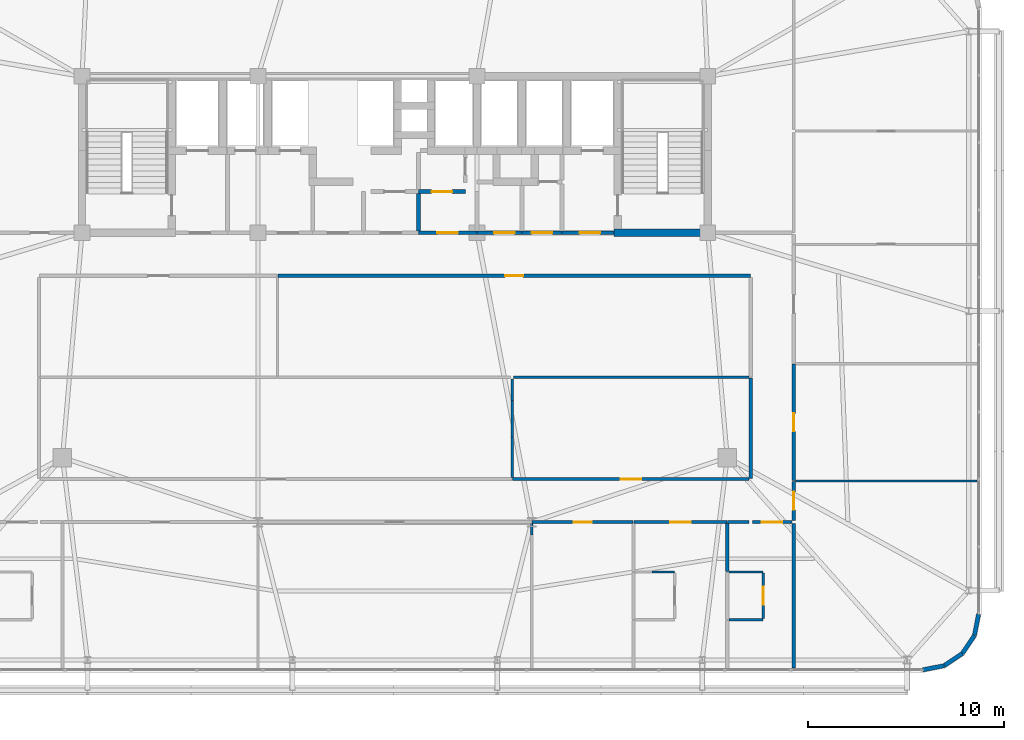
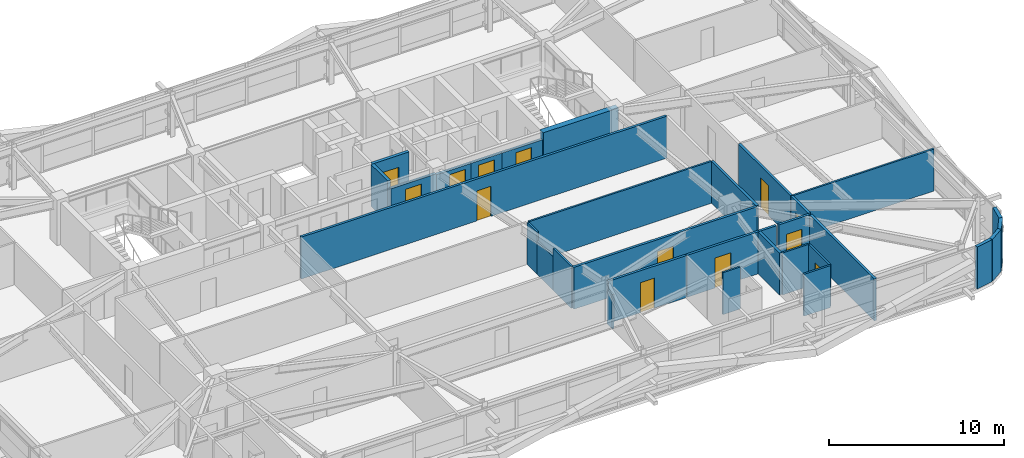
# One storey, part 54 of 59: 32 walls, 13 doors, 13 openings.
"""IFC4 building model written with IfcOpenShell, lengths in metres."""

from ifc_helpers import new_model, si_unit, direction, frame, frame_2d, origin, place, context, subcontext, project, spatial, rectangle, extrude, source, transform, mapped, material, layer, layer_set, type_object, element, fill, save


model = new_model("IFC4")

# Units and contexts
model_context = context("Model", 3, precision=1e-05, world=origin(), true_north=direction((0.0, 1.0)))
body_context = subcontext(model_context, "Body", "Model", "MODEL_VIEW")
ifc_project = project(units=[si_unit("LENGTHUNIT", "METRE"), si_unit("AREAUNIT", "SQUARE_METRE"), si_unit("VOLUMEUNIT", "CUBIC_METRE"), si_unit("PLANEANGLEUNIT", "RADIAN"), si_unit("MASSUNIT", "GRAM", prefix="KILO")], contexts=[model_context])

# Site, building, storey
site_placement = place(None, origin())
site = spatial("IfcSite", under=ifc_project, at=site_placement, CompositionType="ELEMENT")
building_placement = place(site_placement, origin())
building = spatial("IfcBuilding", under=site, at=building_placement, Name="Taldren Reach Tower", CompositionType="ELEMENT")
storey_placement = place(building_placement, frame((0.0, 0.0, 29.39990234375)))
storey = spatial("IfcBuildingStorey", under=building, at=storey_placement, Name="L08", CompositionType="ELEMENT", Elevation=29.39990234375)

# Walls
ifc_material_1 = material(Name="Pale Champagne Anodised Aluminium Cladding", Category="aluminium")
ifc_layer_1 = layer(ifc_material_1, 0.04, Name="Pale Champagne Anodised Aluminium Cladding", Category="aluminium")
ifc_material_2 = material(Name="Mineral Wool Acoustic Insulation", Category="insulation")
ifc_layer_2 = layer(ifc_material_2, 0.06, Name="Mineral Wool Acoustic Insulation", Category="insulation")
ifc_material_3 = material(Name="Steel Gr 350 (C350L0)", Category="steel")
ifc_layer_3 = layer(ifc_material_3, 0.12, Name="Steel Gr 350 (C350L0)", Category="steel")
ifc_layer_set_1 = layer_set([ifc_layer_1, ifc_layer_2, ifc_layer_3], Name="Pale Champagne Aluminium Cladding and Steel Gr 350 Stud Framing")
wall_type_1 = type_object("IfcWallType", Name="EW-CRN-220", PredefinedType="SOLIDWALL", material=ifc_layer_set_1)
shared_shape_1 = source(origin(), body_context, "Body", "SweptSolid", [
    extrude(rectangle(XDim=1.115966796875, YDim=0.219970703125, at=frame_2d((0.55810546875, 0.0))), origin(), (0.0, 0.0, 1.0), 2.93017578125),
])
for number, where, z_axis, x_axis, name in (
    (1, (62.0, 1.639892578125, 0.0), (0.0, 0.0, 1.0), (0.98077373103, 0.195148375659, 0.0), "Rounded-corner pale-metal facade wall L08-SE1"),
    (2, (63.094482421875, 1.857666015625, 0.0), (0.0, 0.0, 1.0), (0.83137650226, 0.555709556774, 0.0), "Rounded-corner pale-metal facade wall L08-SE2"),
    (3, (64.022216796875, 2.477783203125, 0.0), (0.0, 0.0, 1.0), (0.555709556774, 0.83137650226, 0.0), "Rounded-corner pale-metal facade wall L08-SE3"),
    (4, (64.642333984375, 3.405517578125, 0.0), (0.0, 0.0, 1.0), (0.195148375659, 0.98077373103, 0.0), "Rounded-corner pale-metal facade wall L08-SE4"),
):
    element("IfcWall", number, at=place(storey_placement, frame(where, z_axis=z_axis, x_axis=x_axis)), inside=storey, type_object=wall_type_1, Name=name, PredefinedType="SOLIDWALL", context=body_context, shape_type="MappedRepresentation", body=[
        mapped(shared_shape_1, transform((0.0, 0.0, 0.0), scale=1.0)),
    ])
ifc_material_4 = material(Name="Concrete S80 (80 MPa)", Category="concrete")
ifc_layer_4 = layer(ifc_material_4, 0.3798828125)
ifc_layer_set_2 = layer_set([ifc_layer_4], Name="Concrete S80 (80 MPa)")
wall_type_2 = type_object("IfcWallType", Name="IW-CORE-380", PredefinedType="SHEAR", material=ifc_layer_set_2)
shared_shape_2 = source(origin(), body_context, "Body", "SweptSolid", [
    extrude(rectangle(XDim=4.97998046875, YDim=0.3798828125, at=frame_2d((2.489990234375, 0.0))), origin(), (0.0, 0.0, 1.0), 2.93017578125),
])
wall_1_placement = place(storey_placement, frame((46.2099609375, 24.0, 0.0), z_axis=(0.0, 0.0, 1.0), x_axis=(1.0, 0.0, 0.0)))
element("IfcWall", 5, at=wall_1_placement, inside=storey, type_object=wall_type_2, Name="Rear Core Shear Wall W-INT-L08-010", PredefinedType="SHEAR", context=body_context, shape_type="MappedRepresentation", body=[
    mapped(shared_shape_2, transform((0.0, 0.0, 0.0), scale=1.0)),
])

# Wall, opening, door
ifc_material_5 = material(Name="Concrete S50 (50 MPa)", Category="concrete")
ifc_layer_5 = layer(ifc_material_5, 0.199951171875)
ifc_layer_set_3 = layer_set([ifc_layer_5], Name="Concrete S50 (50 MPa)")
wall_type_3 = type_object("IfcWallType", Name="IW-CORE-200", PredefinedType="SOLIDWALL", material=ifc_layer_set_3)
shared_shape_3 = source(origin(), body_context, "Body", "SweptSolid", [
    extrude(rectangle(XDim=2.659912109375, YDim=0.199951171875, at=frame_2d((1.330078125, 0.0))), origin(), (0.0, 0.0, 1.0), 2.397216796875),
])
wall_2_placement = place(storey_placement, frame((43.550048828125, 24.0, 0.0), z_axis=(0.0, 0.0, 1.0), x_axis=(1.0, 0.0, 0.0)))
wall_2 = element("IfcWall", 6, at=wall_2_placement, inside=storey, type_object=wall_type_3, Name="Rear Core Shear Wall W-INT-L08-015", PredefinedType="SOLIDWALL", context=body_context, shape_type="MappedRepresentation", body=[
    mapped(shared_shape_3, transform((0.0, 0.0, 0.0), scale=1.0)),
])
shared_shape_4 = source(origin(), body_context, "Body", "SweptSolid", [
    extrude(rectangle(XDim=1.050048828125, YDim=2.10009765625, at=frame_2d((0.52490234375, 1.050048828125))), frame((0.0, 0.10986328125, 0.0), z_axis=(0.0, -1.0, 0.0), x_axis=(1.0, 0.0, 0.0)), (0.0, 0.0, 1.0), 0.219970703125),
])
opening_1_placement = place(wall_2_placement, frame((0.89990234375, 0.0, 0.0)))
opening_1 = element("IfcOpeningElement", 7, at=opening_1_placement, cuts=wall_2, Name="Opening DF-105", PredefinedType="OPENING", context=body_context, shape_type="MappedRepresentation", body=[
    mapped(shared_shape_4, transform((0.0, 0.0, 0.0), scale=1.0)),
])
ifc_material_6 = material(Name="Fire-Rated Care and Stair Exit Door")
door_type_1 = type_object("IfcDoorType", Name="ID-FIRE-105", OperationType="NOTDEFINED", PredefinedType="DOOR", material=ifc_material_6)
shared_shape_5 = source(origin(), body_context, "Body", "SweptSolid", [
    extrude(rectangle(XDim=1.050048828125, YDim=2.10009765625, at=frame_2d((0.52490234375, 1.050048828125))), frame((0.0, 0.02490234375, 0.0), z_axis=(0.0, -1.0, 0.0), x_axis=(1.0, 0.0, 0.0)), (0.0, 0.0, 1.0), 0.050048828125),
])
door_1_placement = place(opening_1_placement, origin())
door_1 = element("IfcDoor", 8, at=door_1_placement, inside=storey, type_object=door_type_1, Name="Interior Door DR-L08-004", OperationType="SINGLE_SWING_LEFT", OverallHeight=2.10009765625, OverallWidth=1.050048828125, PredefinedType="DOOR", context=body_context, shape_type="MappedRepresentation", body=[
    mapped(shared_shape_5, transform((0.0, 0.0, 0.0), scale=1.0)),
])
fill(opening_1, door_1)

# Wall
shared_shape_6 = source(origin(), body_context, "Body", "SweptSolid", [
    extrude(rectangle(XDim=1.89990234375, YDim=0.199951171875, at=frame_2d((0.949951171875, 0.0))), origin(), (0.0, 0.0, 1.0), 2.93017578125),
])
wall_3_placement = place(storey_placement, frame((36.199951171875, 26.0, 0.0), z_axis=(0.0, 0.0, 1.0), x_axis=(0.0, -1.0, 0.0)))
element("IfcWall", 9, at=wall_3_placement, inside=storey, type_object=wall_type_3, Name="Rear Core Shear Wall W-INT-L08-047", PredefinedType="SOLIDWALL", context=body_context, shape_type="MappedRepresentation", body=[
    mapped(shared_shape_6, transform((0.0, 0.0, 0.0), scale=1.0)),
])

# Wall, opening, door
shared_shape_7 = source(origin(), body_context, "Body", "SweptSolid", [
    extrude(rectangle(XDim=2.420166015625, YDim=0.199951171875, at=frame_2d((1.2099609375, 0.0))), origin(), (0.0, 0.0, 1.0), 2.93017578125),
])
wall_4_placement = place(storey_placement, frame((36.199951171875, 26.10009765625, 0.0), z_axis=(0.0, 0.0, 1.0), x_axis=(1.0, 0.0, 0.0)))
wall_4 = element("IfcWall", 10, at=wall_4_placement, inside=storey, type_object=wall_type_3, Name="Rear Core Shear Wall W-INT-L08-051", PredefinedType="SOLIDWALL", context=body_context, shape_type="MappedRepresentation", body=[
    mapped(shared_shape_7, transform((0.0, 0.0, 0.0), scale=1.0)),
])
opening_2_placement = place(wall_4_placement, frame((0.68505859375, 0.0, 0.0)))
opening_2 = element("IfcOpeningElement", 11, at=opening_2_placement, cuts=wall_4, Name="Opening DF-105", PredefinedType="OPENING", context=body_context, shape_type="MappedRepresentation", body=[
    mapped(shared_shape_4, transform((0.0, 0.0, 0.0), scale=1.0)),
])
door_2_placement = place(opening_2_placement, origin())
door_2 = element("IfcDoor", 12, at=door_2_placement, inside=storey, type_object=door_type_1, Name="Interior Door DR-L08-009", OperationType="SINGLE_SWING_RIGHT", OverallHeight=2.10009765625, OverallWidth=1.050048828125, PredefinedType="DOOR", context=body_context, shape_type="MappedRepresentation", body=[
    mapped(shared_shape_5, transform((0.0, 0.0, 0.0), scale=1.0)),
])
fill(opening_2, door_2)

shared_shape_8 = source(origin(), body_context, "Body", "SweptSolid", [
    extrude(rectangle(XDim=3.0, YDim=0.199951171875, at=frame_2d((1.5, 0.0))), origin(), (0.0, 0.0, 1.0), 2.47021484375),
])
wall_5_placement = place(storey_placement, frame((39.199951171875, 24.0, 0.0), z_axis=(0.0, 0.0, 1.0), x_axis=(-1.0, 0.0, 0.0)))
wall_5 = element("IfcWall", 13, at=wall_5_placement, inside=storey, type_object=wall_type_3, Name="Rear Core Shear Wall W-INT-L08-053", PredefinedType="SOLIDWALL", context=body_context, shape_type="MappedRepresentation", body=[
    mapped(shared_shape_8, transform((0.0, 0.0, 0.0), scale=1.0)),
])
opening_3_placement = place(wall_5_placement, frame((0.97509765625, 0.0, 0.0)))
opening_3 = element("IfcOpeningElement", 14, at=opening_3_placement, cuts=wall_5, Name="Opening DF-105", PredefinedType="OPENING", context=body_context, shape_type="MappedRepresentation", body=[
    mapped(shared_shape_4, transform((0.0, 0.0, 0.0), scale=1.0)),
])
door_3_placement = place(opening_3_placement, frame((1.050048828125, 0.0, 0.0), z_axis=(0.0, 0.0, 1.0), x_axis=(-1.0, 0.0, 0.0)))
door_3 = element("IfcDoor", 15, at=door_3_placement, inside=storey, type_object=door_type_1, Name="Interior Door DR-L08-010", OperationType="SINGLE_SWING_RIGHT", OverallHeight=2.10009765625, OverallWidth=1.050048828125, PredefinedType="DOOR", context=body_context, shape_type="MappedRepresentation", body=[
    mapped(shared_shape_5, transform((0.0, 0.0, 0.0), scale=1.0)),
])
fill(opening_3, door_3)

shared_shape_9 = source(origin(), body_context, "Body", "SweptSolid", [
    extrude(rectangle(XDim=2.300048828125, YDim=0.199951171875, at=frame_2d((1.14990234375, 0.0))), origin(), (0.0, 0.0, 1.0), 2.397216796875),
])
wall_6_placement = place(storey_placement, frame((41.5, 24.0, 0.0), z_axis=(0.0, 0.0, 1.0), x_axis=(-1.0, 0.0, 0.0)))
wall_6 = element("IfcWall", 16, at=wall_6_placement, inside=storey, type_object=wall_type_3, Name="Rear Core Shear Wall W-INT-L08-057", PredefinedType="SOLIDWALL", context=body_context, shape_type="MappedRepresentation", body=[
    mapped(shared_shape_9, transform((0.0, 0.0, 0.0), scale=1.0)),
])
opening_4_placement = place(wall_6_placement, frame((0.375, 0.0, 0.0)))
opening_4 = element("IfcOpeningElement", 17, at=opening_4_placement, cuts=wall_6, Name="Opening DF-105", PredefinedType="OPENING", context=body_context, shape_type="MappedRepresentation", body=[
    mapped(shared_shape_4, transform((0.0, 0.0, 0.0), scale=1.0)),
])
door_4_placement = place(opening_4_placement, frame((1.050048828125, 0.0, 0.0), z_axis=(0.0, 0.0, 1.0), x_axis=(-1.0, 0.0, 0.0)))
door_4 = element("IfcDoor", 18, at=door_4_placement, inside=storey, type_object=door_type_1, Name="Interior Door DR-L08-011", OperationType="SINGLE_SWING_RIGHT", OverallHeight=2.10009765625, OverallWidth=1.050048828125, PredefinedType="DOOR", context=body_context, shape_type="MappedRepresentation", body=[
    mapped(shared_shape_5, transform((0.0, 0.0, 0.0), scale=1.0)),
])
fill(opening_4, door_4)

shared_shape_10 = source(origin(), body_context, "Body", "SweptSolid", [
    extrude(rectangle(XDim=2.050048828125, YDim=0.199951171875, at=frame_2d((1.02490234375, 0.0))), origin(), (0.0, 0.0, 1.0), 2.397216796875),
])
wall_7_placement = place(storey_placement, frame((43.550048828125, 24.0, 0.0), z_axis=(0.0, 0.0, 1.0), x_axis=(-1.0, 0.0, 0.0)))
wall_7 = element("IfcWall", 19, at=wall_7_placement, inside=storey, type_object=wall_type_3, Name="Rear Core Shear Wall W-INT-L08-059", PredefinedType="SOLIDWALL", context=body_context, shape_type="MappedRepresentation", body=[
    mapped(shared_shape_10, transform((0.0, 0.0, 0.0), scale=1.0)),
])
opening_5_placement = place(wall_7_placement, frame((0.5, 0.0, 0.0)))
opening_5 = element("IfcOpeningElement", 20, at=opening_5_placement, cuts=wall_7, Name="Opening DF-105", PredefinedType="OPENING", context=body_context, shape_type="MappedRepresentation", body=[
    mapped(shared_shape_4, transform((0.0, 0.0, 0.0), scale=1.0)),
])
door_5_placement = place(opening_5_placement, frame((1.050048828125, 0.0, 0.0), z_axis=(0.0, 0.0, 1.0), x_axis=(-1.0, 0.0, 0.0)))
door_5 = element("IfcDoor", 21, at=door_5_placement, inside=storey, type_object=door_type_1, Name="Interior Door DR-L08-013", OperationType="SINGLE_SWING_LEFT", OverallHeight=2.10009765625, OverallWidth=1.050048828125, PredefinedType="DOOR", context=body_context, shape_type="MappedRepresentation", body=[
    mapped(shared_shape_5, transform((0.0, 0.0, 0.0), scale=1.0)),
])
fill(opening_5, door_5)

# Wall
ifc_material_7 = material(Name="Fire-Rated Acoustic Plasterboard Stud Wall", Category="gypsum")
ifc_layer_6 = layer(ifc_material_7, 0.159912109375)
ifc_layer_set_4 = layer_set([ifc_layer_6], Name="Fire-Rated Acoustic Plasterboard Stud Wall")
wall_type_4 = type_object("IfcWallType", Name="IW-FIRE-160", PredefinedType="PARTITIONING", material=ifc_layer_set_4)
shared_shape_11 = source(origin(), body_context, "Body", "SweptSolid", [
    extrude(rectangle(XDim=5.15966796875, YDim=0.159912109375, at=frame_2d((2.579833984375, 0.0))), origin(), (0.0, 0.0, 1.0), 2.93017578125),
])
wall_8_placement = place(storey_placement, frame((53.199951171875, 11.420166015625, 0.0), z_axis=(0.0, 0.0, 1.0), x_axis=(0.0, 1.0, 0.0)))
element("IfcWall", 22, at=wall_8_placement, inside=storey, type_object=wall_type_4, Name="Interior Partition Wall W-INT-L08-061", PredefinedType="PARTITIONING", context=body_context, shape_type="MappedRepresentation", body=[
    mapped(shared_shape_11, transform((0.0, 0.0, 0.0), scale=1.0)),
])

# Wall, opening, door
shared_shape_12 = source(origin(), body_context, "Body", "SweptSolid", [
    extrude(rectangle(XDim=24.159423828125, YDim=0.159912109375, at=frame_2d((12.07958984375, 0.0))), origin(), (0.0, 0.0, 1.0), 2.93017578125),
])
wall_9_placement = place(storey_placement, frame((53.1796875, 21.800048828125, 0.0), z_axis=(0.0, 0.0, 1.0), x_axis=(-1.0, 0.0, 0.0)))
wall_9 = element("IfcWall", 23, at=wall_9_placement, inside=storey, type_object=wall_type_4, Name="Interior Partition Wall W-INT-L08-064", PredefinedType="PARTITIONING", context=body_context, shape_type="MappedRepresentation", body=[
    mapped(shared_shape_12, transform((0.0, 0.0, 0.0), scale=1.0)),
])
shared_shape_13 = source(origin(), body_context, "Body", "SweptSolid", [
    extrude(rectangle(XDim=0.919921875, YDim=2.10009765625, at=frame_2d((0.4599609375, 1.050048828125))), frame((0.0, 0.08984375, 0.0), z_axis=(0.0, -1.0, 0.0), x_axis=(1.0, 0.0, 0.0)), (0.0, 0.0, 1.0), 0.179931640625),
])
opening_6_placement = place(wall_9_placement, frame((11.619873046875, 0.0, 0.0)))
opening_6 = element("IfcOpeningElement", 24, at=opening_6_placement, cuts=wall_9, Name="Opening DI-092", PredefinedType="OPENING", context=body_context, shape_type="MappedRepresentation", body=[
    mapped(shared_shape_13, transform((0.0, 0.0, 0.0), scale=1.0)),
])
ifc_material_8 = material(Name="Solid-Core Timber Suite Door", Category="wood")
door_type_2 = type_object("IfcDoorType", Name="ID-INT-092", OperationType="NOTDEFINED", PredefinedType="DOOR", material=ifc_material_8)
shared_shape_14 = source(origin(), body_context, "Body", "SweptSolid", [
    extrude(rectangle(XDim=0.919921875, YDim=2.10009765625, at=frame_2d((0.4599609375, 1.050048828125))), frame((0.0, 0.02490234375, 0.0), z_axis=(0.0, -1.0, 0.0), x_axis=(1.0, 0.0, 0.0)), (0.0, 0.0, 1.0), 0.050048828125),
])
door_6_placement = place(opening_6_placement, origin())
door_6 = element("IfcDoor", 25, at=door_6_placement, inside=storey, type_object=door_type_2, Name="Interior Door DR-L08-015", OperationType="SINGLE_SWING_RIGHT", OverallHeight=2.10009765625, OverallWidth=0.919921875, PredefinedType="DOOR", context=body_context, shape_type="MappedRepresentation", body=[
    mapped(shared_shape_14, transform((0.0, 0.0, 0.0), scale=1.0)),
])
fill(opening_6, door_6)

shared_shape_15 = source(origin(), body_context, "Body", "SweptSolid", [
    extrude(rectangle(XDim=2.0400390625, YDim=0.159912109375, at=frame_2d((1.02001953125, 0.0))), origin(), (0.0, 0.0, 1.0), 2.93017578125),
])
wall_10_placement = place(storey_placement, frame((55.320068359375, 9.199951171875, 0.0), z_axis=(0.0, 0.0, 1.0), x_axis=(-1.0, 0.0, 0.0)))
wall_10 = element("IfcWall", 26, at=wall_10_placement, inside=storey, type_object=wall_type_4, Name="Interior Partition Wall W-INT-L08-067", PredefinedType="PARTITIONING", context=body_context, shape_type="MappedRepresentation", body=[
    mapped(shared_shape_15, transform((0.0, 0.0, 0.0), scale=1.0)),
])
shared_shape_16 = source(origin(), body_context, "Body", "SweptSolid", [
    extrude(rectangle(XDim=1.050048828125, YDim=2.10009765625, at=frame_2d((0.52490234375, 1.050048828125))), frame((0.0, 0.08984375, 0.0), z_axis=(0.0, -1.0, 0.0), x_axis=(1.0, 0.0, 0.0)), (0.0, 0.0, 1.0), 0.179931640625),
])
opening_7_placement = place(wall_10_placement, frame((0.4951171875, 0.0, 0.0)))
opening_7 = element("IfcOpeningElement", 27, at=opening_7_placement, cuts=wall_10, Name="Opening DF-105", PredefinedType="OPENING", context=body_context, shape_type="MappedRepresentation", body=[
    mapped(shared_shape_16, transform((0.0, 0.0, 0.0), scale=1.0)),
])
door_7_placement = place(opening_7_placement, origin())
door_7 = element("IfcDoor", 28, at=door_7_placement, inside=storey, type_object=door_type_1, Name="Interior Door DR-L08-017", OperationType="SINGLE_SWING_RIGHT", OverallHeight=2.10009765625, OverallWidth=1.050048828125, PredefinedType="DOOR", context=body_context, shape_type="MappedRepresentation", body=[
    mapped(shared_shape_5, transform((0.0, 0.0, 0.0), scale=1.0)),
])
fill(opening_7, door_7)

shared_shape_17 = source(origin(), body_context, "Body", "SweptSolid", [
    extrude(rectangle(XDim=1.999755859375, YDim=0.159912109375, at=frame_2d((1.0, 0.0))), origin(), (0.0, 0.0, 1.0), 2.93017578125),
])
wall_11_placement = place(storey_placement, frame((55.39990234375, 11.27978515625, 0.0), z_axis=(0.0, 0.0, 1.0), x_axis=(0.0, -1.0, 0.0)))
wall_11 = element("IfcWall", 29, at=wall_11_placement, inside=storey, type_object=wall_type_4, Name="Interior Partition Wall W-INT-L08-071", PredefinedType="PARTITIONING", context=body_context, shape_type="MappedRepresentation", body=[
    mapped(shared_shape_17, transform((0.0, 0.0, 0.0), scale=1.0)),
])
opening_8_placement = place(wall_11_placement, frame((0.539794921875, 0.0, 0.0)))
opening_8 = element("IfcOpeningElement", 30, at=opening_8_placement, cuts=wall_11, Name="Opening DI-092", PredefinedType="OPENING", context=body_context, shape_type="MappedRepresentation", body=[
    mapped(shared_shape_13, transform((0.0, 0.0, 0.0), scale=1.0)),
])
door_8_placement = place(opening_8_placement, origin())
door_8 = element("IfcDoor", 31, at=door_8_placement, inside=storey, type_object=door_type_2, Name="Interior Door DR-L08-021", OperationType="SINGLE_SWING_RIGHT", OverallHeight=2.10009765625, OverallWidth=0.919921875, PredefinedType="DOOR", context=body_context, shape_type="MappedRepresentation", body=[
    mapped(shared_shape_14, transform((0.0, 0.0, 0.0), scale=1.0)),
])
fill(opening_8, door_8)

shared_shape_18 = source(origin(), body_context, "Body", "SweptSolid", [
    extrude(rectangle(XDim=5.95947265625, YDim=0.159912109375, at=frame_2d((2.979736328125, 0.0))), origin(), (0.0, 0.0, 1.0), 2.93017578125),
])
wall_12_placement = place(storey_placement, frame((55.39990234375, 17.27978515625, 0.0), z_axis=(0.0, 0.0, 1.0), x_axis=(0.0, -1.0, 0.0)))
wall_12 = element("IfcWall", 32, at=wall_12_placement, inside=storey, type_object=wall_type_4, Name="Interior Partition Wall W-INT-L08-072", PredefinedType="PARTITIONING", context=body_context, shape_type="MappedRepresentation", body=[
    mapped(shared_shape_18, transform((0.0, 0.0, 0.0), scale=1.0)),
])
opening_9_placement = place(wall_12_placement, frame((2.519775390625, 0.0, 0.0)))
opening_9 = element("IfcOpeningElement", 33, at=opening_9_placement, cuts=wall_12, Name="Opening DI-092", PredefinedType="OPENING", context=body_context, shape_type="MappedRepresentation", body=[
    mapped(shared_shape_13, transform((0.0, 0.0, 0.0), scale=1.0)),
])
door_9_placement = place(opening_9_placement, origin())
door_9 = element("IfcDoor", 34, at=door_9_placement, inside=storey, type_object=door_type_2, Name="Interior Door DR-L08-022", OperationType="SINGLE_SWING_LEFT", OverallHeight=2.10009765625, OverallWidth=0.919921875, PredefinedType="DOOR", context=body_context, shape_type="MappedRepresentation", body=[
    mapped(shared_shape_14, transform((0.0, 0.0, 0.0), scale=1.0)),
])
fill(opening_9, door_9)

shared_shape_19 = source(origin(), body_context, "Body", "SweptSolid", [
    extrude(rectangle(XDim=12.099853515625, YDim=0.159912109375, at=frame_2d((6.0498046875, 0.0))), origin(), (0.0, 0.0, 1.0), 2.93017578125),
])
wall_13_placement = place(storey_placement, frame((41.020263671875, 11.39990234375, 0.0), z_axis=(0.0, 0.0, 1.0), x_axis=(1.0, 0.0, 0.0)))
wall_13 = element("IfcWall", 35, at=wall_13_placement, inside=storey, type_object=wall_type_4, Name="Interior Partition Wall W-INT-L08-078", PredefinedType="PARTITIONING", context=body_context, shape_type="MappedRepresentation", body=[
    mapped(shared_shape_19, transform((0.0, 0.0, 0.0), scale=1.0)),
])
opening_10_placement = place(wall_13_placement, frame((5.52490234375, 0.0, 0.0)))
opening_10 = element("IfcOpeningElement", 36, at=opening_10_placement, cuts=wall_13, Name="Opening DF-105", PredefinedType="OPENING", context=body_context, shape_type="MappedRepresentation", body=[
    mapped(shared_shape_16, transform((0.0, 0.0, 0.0), scale=1.0)),
])
door_10_placement = place(opening_10_placement, origin())
door_10 = element("IfcDoor", 37, at=door_10_placement, inside=storey, type_object=door_type_1, Name="Interior Door DR-L08-026", OperationType="SINGLE_SWING_LEFT", OverallHeight=2.10009765625, OverallWidth=1.050048828125, PredefinedType="DOOR", context=body_context, shape_type="MappedRepresentation", body=[
    mapped(shared_shape_5, transform((0.0, 0.0, 0.0), scale=1.0)),
])
fill(opening_10, door_10)

# Wall
shared_shape_20 = source(origin(), body_context, "Body", "SweptSolid", [
    extrude(rectangle(XDim=1.099853515625, YDim=0.159912109375, at=frame_2d((0.5498046875, 0.0))), origin(), (0.0, 0.0, 1.0), 2.93017578125),
])
wall_14_placement = place(storey_placement, frame((53.1201171875, 9.199951171875, 0.0), z_axis=(0.0, 0.0, 1.0), x_axis=(-1.0, 0.0, 0.0)))
element("IfcWall", 38, at=wall_14_placement, inside=storey, type_object=wall_type_4, Name="Interior Partition Wall W-INT-L08-084", PredefinedType="PARTITIONING", context=body_context, shape_type="MappedRepresentation", body=[
    mapped(shared_shape_20, transform((0.0, 0.0, 0.0), scale=1.0)),
])

# Wall, opening, door
shared_shape_21 = source(origin(), body_context, "Body", "SweptSolid", [
    extrude(rectangle(XDim=5.159423828125, YDim=0.159912109375, at=frame_2d((2.57958984375, 0.0))), origin(), (0.0, 0.0, 1.0), 2.93017578125),
])
wall_15_placement = place(storey_placement, frame((47.1796875, 9.199951171875, 0.0), z_axis=(0.0, 0.0, 1.0), x_axis=(-1.0, 0.0, 0.0)))
wall_15 = element("IfcWall", 39, at=wall_15_placement, inside=storey, type_object=wall_type_4, Name="Interior Partition Wall W-INT-L08-082", PredefinedType="PARTITIONING", context=body_context, shape_type="MappedRepresentation", body=[
    mapped(shared_shape_21, transform((0.0, 0.0, 0.0), scale=1.0)),
])
opening_11_placement = place(wall_15_placement, frame((2.119873046875, 0.0, 0.0)))
opening_11 = element("IfcOpeningElement", 40, at=opening_11_placement, cuts=wall_15, Name="Opening DI-092", PredefinedType="OPENING", context=body_context, shape_type="MappedRepresentation", body=[
    mapped(shared_shape_13, transform((0.0, 0.0, 0.0), scale=1.0)),
])
door_11_placement = place(opening_11_placement, origin())
door_11 = element("IfcDoor", 41, at=door_11_placement, inside=storey, type_object=door_type_2, Name="Interior Door DR-L08-029", OperationType="SINGLE_SWING_RIGHT", OverallHeight=2.10009765625, OverallWidth=0.919921875, PredefinedType="DOOR", context=body_context, shape_type="MappedRepresentation", body=[
    mapped(shared_shape_14, transform((0.0, 0.0, 0.0), scale=1.0)),
])
fill(opening_11, door_11)

shared_shape_22 = source(origin(), body_context, "Body", "SweptSolid", [
    extrude(rectangle(XDim=4.759521484375, YDim=0.159912109375, at=frame_2d((2.3798828125, 0.0))), origin(), (0.0, 0.0, 1.0), 2.93017578125),
])
wall_16_placement = place(storey_placement, frame((51.979736328125, 9.199951171875, 0.0), z_axis=(0.0, 0.0, 1.0), x_axis=(-1.0, 0.0, 0.0)))
wall_16 = element("IfcWall", 42, at=wall_16_placement, inside=storey, type_object=wall_type_4, Name="Interior Partition Wall W-INT-L08-083", PredefinedType="PARTITIONING", context=body_context, shape_type="MappedRepresentation", body=[
    mapped(shared_shape_22, transform((0.0, 0.0, 0.0), scale=1.0)),
])
opening_12_placement = place(wall_16_placement, frame((1.854736328125, 0.0, 0.0)))
opening_12 = element("IfcOpeningElement", 43, at=opening_12_placement, cuts=wall_16, Name="Opening DF-105", PredefinedType="OPENING", context=body_context, shape_type="MappedRepresentation", body=[
    mapped(shared_shape_16, transform((0.0, 0.0, 0.0), scale=1.0)),
])
door_12_placement = place(opening_12_placement, origin())
door_12 = element("IfcDoor", 44, at=door_12_placement, inside=storey, type_object=door_type_1, Name="Interior Door DR-L08-030", OperationType="SINGLE_SWING_LEFT", OverallHeight=2.10009765625, OverallWidth=1.050048828125, PredefinedType="DOOR", context=body_context, shape_type="MappedRepresentation", body=[
    mapped(shared_shape_5, transform((0.0, 0.0, 0.0), scale=1.0)),
])
fill(opening_12, door_12)

# Walls
ifc_material_9 = material(Name="Insulated Residential Stud Partition", Category="gypsum")
ifc_layer_7 = layer(ifc_material_9, 0.1201171875)
ifc_layer_set_5 = layer_set([ifc_layer_7], Name="Insulated Residential Stud Partition")
wall_type_5 = type_object("IfcWallType", Name="IW-PART-120", PredefinedType="PARTITIONING", material=ifc_layer_set_5)
shared_shape_23 = source(origin(), body_context, "Body", "SweptSolid", [
    extrude(rectangle(XDim=1.10400390625, YDim=0.1201171875, at=frame_2d((0.552001953125, 0.0))), origin(), (0.0, 0.0, 1.0), 2.93017578125),
])
wall_17_placement = place(storey_placement, frame((41.0, 16.52001953125, 0.0), z_axis=(0.0, 0.0, 1.0), x_axis=(0.0, -1.0, 0.0)))
element("IfcWall", 45, at=wall_17_placement, inside=storey, type_object=wall_type_5, Name="Interior Partition Wall W-INT-L08-085", PredefinedType="PARTITIONING", context=body_context, shape_type="MappedRepresentation", body=[
    mapped(shared_shape_23, transform((0.0, 0.0, 0.0), scale=1.0)),
])
shared_shape_24 = source(origin(), body_context, "Body", "SweptSolid", [
    extrude(rectangle(XDim=1.860595703125, YDim=0.1201171875, at=frame_2d((0.93017578125, 0.0))), origin(), (0.0, 0.0, 1.0), 2.328125),
])
wall_18_placement = place(storey_placement, frame((41.0, 15.416015625, 0.0), z_axis=(0.0, 0.0, 1.0), x_axis=(0.0, -1.0, 0.0)))
element("IfcWall", 46, at=wall_18_placement, inside=storey, type_object=wall_type_5, Name="Interior Partition Wall W-INT-L08-085 part 2", PredefinedType="PARTITIONING", context=body_context, shape_type="MappedRepresentation", body=[
    mapped(shared_shape_24, transform((0.0, 0.0, 0.0), scale=1.0)),
])
shared_shape_25 = source(origin(), body_context, "Body", "SweptSolid", [
    extrude(rectangle(XDim=2.075439453125, YDim=0.1201171875, at=frame_2d((1.03759765625, 0.0))), origin(), (0.0, 0.0, 1.0), 2.93017578125),
])
wall_19_placement = place(storey_placement, frame((41.0, 13.555419921875, 0.0), z_axis=(0.0, 0.0, 1.0), x_axis=(0.0, -1.0, 0.0)))
element("IfcWall", 47, at=wall_19_placement, inside=storey, type_object=wall_type_5, Name="Interior Partition Wall W-INT-L08-085 part 3", PredefinedType="PARTITIONING", context=body_context, shape_type="MappedRepresentation", body=[
    mapped(shared_shape_25, transform((0.0, 0.0, 0.0), scale=1.0)),
])
shared_shape_26 = source(origin(), body_context, "Body", "SweptSolid", [
    extrude(rectangle(XDim=12.0400390625, YDim=0.1201171875, at=frame_2d((6.02001953125, 0.0))), origin(), (0.0, 0.0, 1.0), 2.93017578125),
])
wall_20_placement = place(storey_placement, frame((41.080078125, 16.60009765625, 0.0), z_axis=(0.0, 0.0, 1.0), x_axis=(1.0, 0.0, 0.0)))
element("IfcWall", 48, at=wall_20_placement, inside=storey, type_object=wall_type_5, Name="Interior Partition Wall W-INT-L08-088", PredefinedType="PARTITIONING", context=body_context, shape_type="MappedRepresentation", body=[
    mapped(shared_shape_26, transform((0.0, 0.0, 0.0), scale=1.0)),
])

# Wall, opening, door
shared_shape_27 = source(origin(), body_context, "Body", "SweptSolid", [
    extrude(rectangle(XDim=2.330078125, YDim=0.1201171875, at=frame_2d((1.1650390625, 0.0))), origin(), (0.0, 0.0, 1.0), 2.93017578125),
])
wall_21_placement = place(storey_placement, frame((53.85009765625, 4.260009765625, 0.0), z_axis=(0.0, 0.0, 1.0), x_axis=(0.0, 1.0, 0.0)))
wall_21 = element("IfcWall", 49, at=wall_21_placement, inside=storey, type_object=wall_type_5, Name="Interior Partition Wall W-INT-L08-108", PredefinedType="PARTITIONING", context=body_context, shape_type="MappedRepresentation", body=[
    mapped(shared_shape_27, transform((0.0, 0.0, 0.0), scale=1.0)),
])
shared_shape_28 = source(origin(), body_context, "Body", "SweptSolid", [
    extrude(rectangle(XDim=0.919921875, YDim=2.10009765625, at=frame_2d((0.4599609375, 1.050048828125))), frame((0.0, 0.070068359375, 0.0), z_axis=(0.0, -1.0, 0.0), x_axis=(1.0, 0.0, 0.0)), (0.0, 0.0, 1.0), 0.14013671875),
])
opening_13_placement = place(wall_21_placement, frame((0.705078125, 0.0, 0.0)))
opening_13 = element("IfcOpeningElement", 50, at=opening_13_placement, cuts=wall_21, Name="Opening DI-092", PredefinedType="OPENING", context=body_context, shape_type="MappedRepresentation", body=[
    mapped(shared_shape_28, transform((0.0, 0.0, 0.0), scale=1.0)),
])
door_13_placement = place(opening_13_placement, origin())
door_13 = element("IfcDoor", 51, at=door_13_placement, inside=storey, type_object=door_type_2, Name="Interior Door DR-L08-033", OperationType="SINGLE_SWING_RIGHT", OverallHeight=2.10009765625, OverallWidth=0.919921875, PredefinedType="DOOR", context=body_context, shape_type="MappedRepresentation", body=[
    mapped(shared_shape_14, transform((0.0, 0.0, 0.0), scale=1.0)),
])
fill(opening_13, door_13)

# Walls
shared_shape_29 = source(origin(), body_context, "Body", "SweptSolid", [
    extrude(rectangle(XDim=1.749755859375, YDim=0.1201171875, at=frame_2d((0.875, 0.0))), origin(), (0.0, 0.0, 1.0), 2.93017578125),
])
for number, where, z_axis, x_axis, name in (
    (52, (52.080078125, 4.199951171875, 0.0), (0.0, 0.0, 1.0), (1.0, 0.0, 0.0), "Interior Partition Wall W-INT-L08-109"),
    (53, (53.829833984375, 6.64990234375, 0.0), (0.0, 0.0, 1.0), (-1.0, 0.0, 0.0), "Interior Partition Wall W-INT-L08-110"),
):
    element("IfcWall", number, at=place(storey_placement, frame(where, z_axis=z_axis, x_axis=x_axis)), inside=storey, type_object=wall_type_5, Name=name, PredefinedType="PARTITIONING", context=body_context, shape_type="MappedRepresentation", body=[
        mapped(shared_shape_29, transform((0.0, 0.0, 0.0), scale=1.0)),
    ])
shared_shape_30 = source(origin(), body_context, "Body", "SweptSolid", [
    extrude(rectangle(XDim=7.385986328125, YDim=0.159912109375, at=frame_2d((3.69287109375, 0.0))), origin(), (0.0, 0.0, 1.0), 2.93017578125),
])
wall_22_placement = place(storey_placement, frame((55.39990234375, 9.117919921875, 0.0), z_axis=(0.0, 0.0, 1.0), x_axis=(0.0, -1.0, 0.0)))
element("IfcWall", 54, at=wall_22_placement, inside=storey, type_object=wall_type_4, Name="Interior Partition Wall W-INT-L08-111", PredefinedType="PARTITIONING", context=body_context, shape_type="MappedRepresentation", body=[
    mapped(shared_shape_30, transform((0.0, 0.0, 0.0), scale=1.0)),
])
shared_shape_31 = source(origin(), body_context, "Body", "SweptSolid", [
    extrude(rectangle(XDim=0.591796875, YDim=0.1201171875, at=frame_2d((0.2958984375, 0.0))), origin(), (0.0, 0.0, 1.0), 2.397216796875),
])
wall_23_placement = place(storey_placement, frame((42.0, 9.1201171875, 0.0), z_axis=(0.0, 0.0, 1.0), x_axis=(0.0, -1.0, 0.0)))
element("IfcWall", 55, at=wall_23_placement, inside=storey, type_object=wall_type_5, Name="Interior Partition Wall W-INT-L08-098", PredefinedType="PARTITIONING", context=body_context, shape_type="MappedRepresentation", body=[
    mapped(shared_shape_31, transform((0.0, 0.0, 0.0), scale=1.0)),
])
shared_shape_32 = source(origin(), body_context, "Body", "SweptSolid", [
    extrude(rectangle(XDim=1.148193359375, YDim=0.1201171875, at=frame_2d((0.57421875, 0.0))), origin(), (0.0, 0.0, 1.0), 2.93017578125),
])
wall_24_placement = place(storey_placement, frame((49.291748046875, 6.64990234375, 0.0), z_axis=(0.0, 0.0, 1.0), x_axis=(-1.0, 0.0, 0.0)))
element("IfcWall", 56, at=wall_24_placement, inside=storey, type_object=wall_type_5, Name="Interior Partition Wall W-INT-L08-104", PredefinedType="PARTITIONING", context=body_context, shape_type="MappedRepresentation", body=[
    mapped(shared_shape_32, transform((0.0, 0.0, 0.0), scale=1.0)),
])
shared_shape_33 = source(origin(), body_context, "Body", "SweptSolid", [
    extrude(rectangle(XDim=2.44775390625, YDim=0.159912109375, at=frame_2d((1.223876953125, 0.0))), origin(), (0.0, 0.0, 1.0), 2.93017578125),
])
wall_25_placement = place(storey_placement, frame((52.0, 9.117919921875, 0.0), z_axis=(0.0, 0.0, 1.0), x_axis=(0.0, -1.0, 0.0)))
element("IfcWall", 57, at=wall_25_placement, inside=storey, type_object=wall_type_4, Name="Interior Partition Wall W-INT-L08-106", PredefinedType="PARTITIONING", context=body_context, shape_type="MappedRepresentation", body=[
    mapped(shared_shape_33, transform((0.0, 0.0, 0.0), scale=1.0)),
])
shared_shape_34 = source(origin(), body_context, "Body", "SweptSolid", [
    extrude(rectangle(XDim=9.2900390625, YDim=0.1201171875, at=frame_2d((4.64501953125, 0.0))), origin(), (0.0, 0.0, 1.0), 2.93017578125),
])
wall_26_placement = place(storey_placement, frame((55.47998046875, 11.300048828125, 0.0), z_axis=(0.0, 0.0, 1.0), x_axis=(1.0, 0.0, 0.0)))
element("IfcWall", 58, at=wall_26_placement, inside=storey, type_object=wall_type_5, Name="Interior Partition Wall W-INT-L08-117", PredefinedType="PARTITIONING", context=body_context, shape_type="MappedRepresentation", body=[
    mapped(shared_shape_34, transform((0.0, 0.0, 0.0), scale=1.0)),
])

save(model, "model.ifc")
